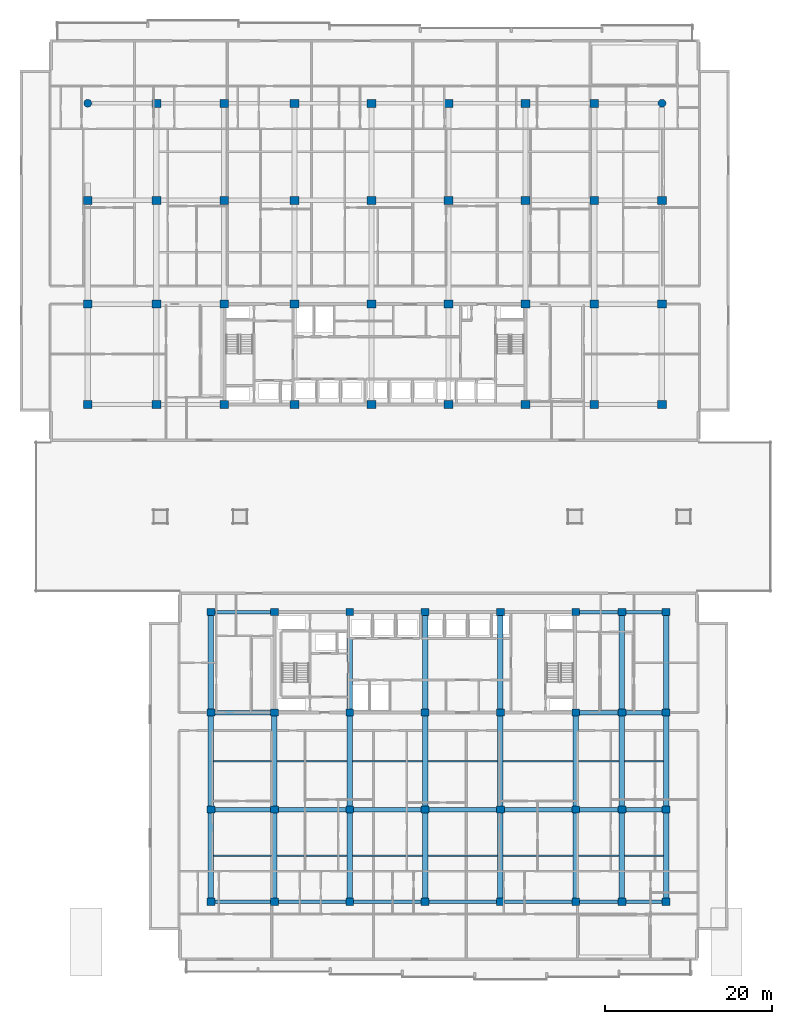
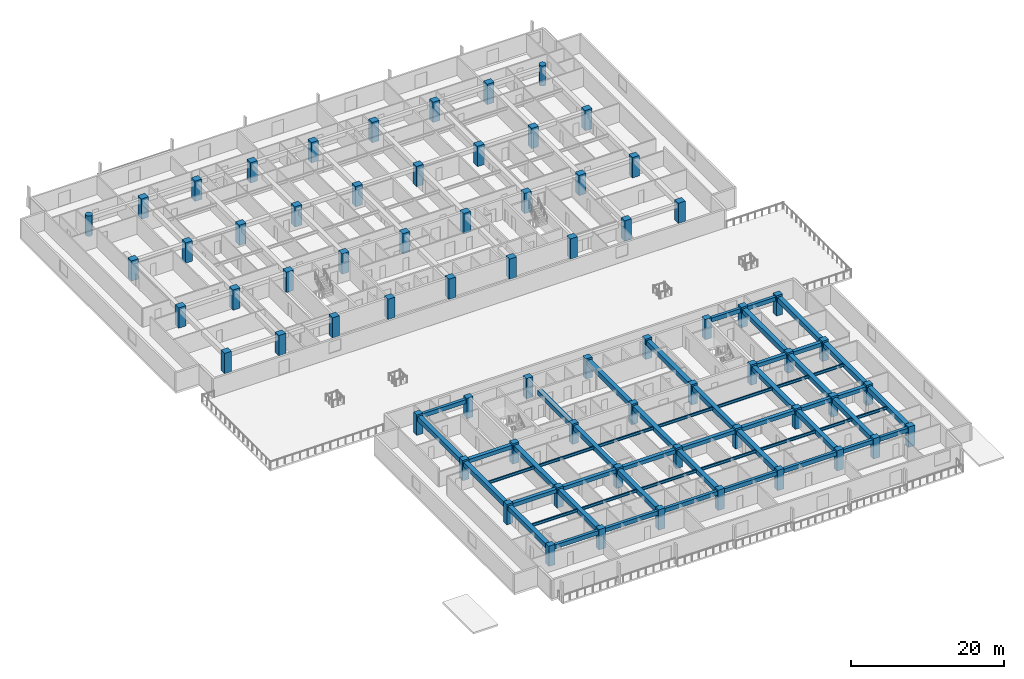
# One storey, part 1 of 24: 68 columns, 56 beams.
"""IFC4 building model written with IfcOpenShell, lengths in metres."""

from ifc_helpers import new_model, si_unit, direction, frame, origin, origin_2d, place, context, subcontext, project, spatial, rectangle, circle, i_section, extrude, material, material_profile, profile_set, type_object, element, save


model = new_model("IFC4")

# Units and contexts
model_context = context("Model", 3, precision=1e-05, world=origin(), true_north=direction((0.0, 1.0)))
body_context = subcontext(model_context, "Body", "Model", "MODEL_VIEW")
ifc_project = project(units=[si_unit("LENGTHUNIT", "METRE"), si_unit("AREAUNIT", "SQUARE_METRE"), si_unit("VOLUMEUNIT", "CUBIC_METRE"), si_unit("PLANEANGLEUNIT", "RADIAN"), si_unit("MASSUNIT", "GRAM", prefix="KILO")], contexts=[model_context])

# Site, building, storey
site_placement = place(None, origin())
site = spatial("IfcSite", under=ifc_project, at=site_placement, CompositionType="ELEMENT")
building_placement = place(site_placement, origin())
building = spatial("IfcBuilding", under=site, at=building_placement, Name="Korimba Cascade Residences", CompositionType="ELEMENT")
storey_placement = place(building_placement, frame((0.0, 0.0, 24.0)))
storey = spatial("IfcBuildingStorey", under=building, at=storey_placement, Name="L05", CompositionType="ELEMENT", Elevation=24.0)

# Columns
ifc_material_1 = material(Name="Concrete C80/95", Category="concrete")
ifc_material_profile_1 = material_profile(ifc_material_1, rectangle(XDim=1.050048828125, YDim=0.949951171875, at=origin_2d()), Name="Concrete C80/95")
ifc_profile_set_1 = profile_set([ifc_material_profile_1], Name="Concrete C80/95")
column_type_1 = type_object("IfcColumnType", Name="COL-RC-1050", PredefinedType="COLUMN", material=ifc_profile_set_1)
for number, where, z_axis, x_axis, name in (
    (1, (59.800048828125, 55.199951171875, 0.0), (0.0, 0.0, 1.0), (1.0, 0.0, 0.0), "L05 Tower 1 Column 1.1"),
    (2, (59.800048828125, 67.199951171875, 0.0), (0.0, 0.0, 1.0), (1.0, 0.0, 0.0), "L05 Tower 1 Column 1.2"),
    (3, (59.800048828125, 79.60009765625, 0.0), (0.0, 0.0, 1.0), (1.0, 0.0, 0.0), "L05 Tower 1 Column 1.3"),
    (4, (68.0, 55.199951171875, 0.0), (0.0, 0.0, 1.0), (1.0, 0.0, 0.0), "L05 Tower 1 Column 2.1"),
    (5, (68.0, 67.199951171875, 0.0), (0.0, 0.0, 1.0), (1.0, 0.0, 0.0), "L05 Tower 1 Column 2.2"),
    (6, (68.0, 79.60009765625, 0.0), (0.0, 0.0, 1.0), (1.0, 0.0, 0.0), "L05 Tower 1 Column 2.3"),
    (7, (68.0, 91.199951171875, 0.0), (0.0, 0.0, 1.0), (1.0, 0.0, 0.0), "L05 Tower 1 Column 2.4"),
    (8, (76.10009765625, 55.199951171875, 0.0), (0.0, 0.0, 1.0), (1.0, 0.0, 0.0), "L05 Tower 1 Column 3.1"),
    (9, (76.10009765625, 67.199951171875, 0.0), (0.0, 0.0, 1.0), (1.0, 0.0, 0.0), "L05 Tower 1 Column 3.2"),
    (10, (76.10009765625, 79.60009765625, 0.0), (0.0, 0.0, 1.0), (1.0, 0.0, 0.0), "L05 Tower 1 Column 3.3"),
    (11, (76.10009765625, 91.199951171875, 0.0), (0.0, 0.0, 1.0), (1.0, 0.0, 0.0), "L05 Tower 1 Column 3.4"),
    (12, (84.5, 55.199951171875, 0.0), (0.0, 0.0, 1.0), (1.0, 0.0, 0.0), "L05 Tower 1 Column 4.1"),
    (13, (84.5, 67.199951171875, 0.0), (0.0, 0.0, 1.0), (1.0, 0.0, 0.0), "L05 Tower 1 Column 4.2"),
    (14, (84.5, 79.60009765625, 0.0), (0.0, 0.0, 1.0), (1.0, 0.0, 0.0), "L05 Tower 1 Column 4.3"),
    (15, (84.5, 91.199951171875, 0.0), (0.0, 0.0, 1.0), (1.0, 0.0, 0.0), "L05 Tower 1 Column 4.4"),
    (16, (93.699951171875, 55.199951171875, 0.0), (0.0, 0.0, 1.0), (1.0, 0.0, 0.0), "L05 Tower 1 Column 5.1"),
    (17, (93.699951171875, 67.199951171875, 0.0), (0.0, 0.0, 1.0), (1.0, 0.0, 0.0), "L05 Tower 1 Column 5.2"),
    (18, (93.699951171875, 79.60009765625, 0.0), (0.0, 0.0, 1.0), (1.0, 0.0, 0.0), "L05 Tower 1 Column 5.3"),
    (19, (93.699951171875, 91.199951171875, 0.0), (0.0, 0.0, 1.0), (1.0, 0.0, 0.0), "L05 Tower 1 Column 5.4"),
    (20, (102.89990234375, 55.199951171875, 0.0), (0.0, 0.0, 1.0), (1.0, 0.0, 0.0), "L05 Tower 1 Column 6.1"),
    (21, (102.89990234375, 67.199951171875, 0.0), (0.0, 0.0, 1.0), (1.0, 0.0, 0.0), "L05 Tower 1 Column 6.2"),
    (22, (102.89990234375, 79.60009765625, 0.0), (0.0, 0.0, 1.0), (1.0, 0.0, 0.0), "L05 Tower 1 Column 6.3"),
    (23, (102.89990234375, 91.199951171875, 0.0), (0.0, 0.0, 1.0), (1.0, 0.0, 0.0), "L05 Tower 1 Column 6.4"),
    (24, (112.10009765625, 55.199951171875, 0.0), (0.0, 0.0, 1.0), (1.0, 0.0, 0.0), "L05 Tower 1 Column 7.1"),
    (25, (112.10009765625, 67.199951171875, 0.0), (0.0, 0.0, 1.0), (1.0, 0.0, 0.0), "L05 Tower 1 Column 7.2"),
    (26, (112.10009765625, 79.60009765625, 0.0), (0.0, 0.0, 1.0), (1.0, 0.0, 0.0), "L05 Tower 1 Column 7.3"),
    (27, (112.10009765625, 91.199951171875, 0.0), (0.0, 0.0, 1.0), (1.0, 0.0, 0.0), "L05 Tower 1 Column 7.4"),
    (28, (120.300048828125, 55.199951171875, 0.0), (0.0, 0.0, 1.0), (1.0, 0.0, 0.0), "L05 Tower 1 Column 8.1"),
    (29, (120.300048828125, 67.199951171875, 0.0), (0.0, 0.0, 1.0), (1.0, 0.0, 0.0), "L05 Tower 1 Column 8.2"),
    (30, (120.300048828125, 79.60009765625, 0.0), (0.0, 0.0, 1.0), (1.0, 0.0, 0.0), "L05 Tower 1 Column 8.3"),
    (31, (120.300048828125, 91.199951171875, 0.0), (0.0, 0.0, 1.0), (1.0, 0.0, 0.0), "L05 Tower 1 Column 8.4"),
    (32, (128.39990234375, 55.199951171875, 0.0), (0.0, 0.0, 1.0), (1.0, 0.0, 0.0), "L05 Tower 1 Column 9.1"),
    (33, (128.39990234375, 67.199951171875, 0.0), (0.0, 0.0, 1.0), (1.0, 0.0, 0.0), "L05 Tower 1 Column 9.2"),
    (34, (128.39990234375, 79.60009765625, 0.0), (0.0, 0.0, 1.0), (1.0, 0.0, 0.0), "L05 Tower 1 Column 9.3"),
):
    element("IfcColumn", number, at=place(storey_placement, frame(where, z_axis=z_axis, x_axis=x_axis)), inside=storey, type_object=column_type_1, Name=name, PredefinedType="COLUMN", context=body_context, shape_type="SweptSolid", body=[
        extrude(rectangle(XDim=1.050048828125, YDim=0.949951171875, at=origin_2d()), origin(), (0.0, 0.0, 1.0), 3.25),
    ])
ifc_material_2 = material(Name="Concrete C65/80", Category="concrete")
ifc_material_profile_2 = material_profile(ifc_material_2, rectangle(XDim=0.949951171875, YDim=0.85009765625, at=origin_2d()), Name="Concrete C65/80")
ifc_profile_set_2 = profile_set([ifc_material_profile_2], Name="Concrete C65/80")
column_type_2 = type_object("IfcColumnType", Name="COL-RC-950", PredefinedType="COLUMN", material=ifc_profile_set_2)
for number, where, z_axis, x_axis, name in (
    (35, (74.5, -4.199951171875, 0.0), (0.0, 0.0, 1.0), (1.0, 0.0, 0.0), "L05 Tower 2 Column 1.1"),
    (36, (74.5, 6.800048828125, 0.0), (0.0, 0.0, 1.0), (1.0, 0.0, 0.0), "L05 Tower 2 Column 1.2"),
    (37, (74.5, 18.39990234375, 0.0), (0.0, 0.0, 1.0), (1.0, 0.0, 0.0), "L05 Tower 2 Column 1.3"),
    (38, (74.5, 30.39990234375, 0.0), (0.0, 0.0, 1.0), (1.0, 0.0, 0.0), "L05 Tower 2 Column 1.4"),
    (39, (82.10009765625, -4.199951171875, 0.0), (0.0, 0.0, 1.0), (1.0, 0.0, 0.0), "L05 Tower 2 Column 2.1"),
    (40, (82.10009765625, 6.800048828125, 0.0), (0.0, 0.0, 1.0), (1.0, 0.0, 0.0), "L05 Tower 2 Column 2.2"),
    (41, (82.10009765625, 18.39990234375, 0.0), (0.0, 0.0, 1.0), (1.0, 0.0, 0.0), "L05 Tower 2 Column 2.3"),
    (42, (82.10009765625, 30.39990234375, 0.0), (0.0, 0.0, 1.0), (1.0, 0.0, 0.0), "L05 Tower 2 Column 2.4"),
    (43, (91.10009765625, -4.199951171875, 0.0), (0.0, 0.0, 1.0), (1.0, 0.0, 0.0), "L05 Tower 2 Column 3.1"),
    (44, (91.10009765625, 6.800048828125, 0.0), (0.0, 0.0, 1.0), (1.0, 0.0, 0.0), "L05 Tower 2 Column 3.2"),
    (45, (91.10009765625, 18.39990234375, 0.0), (0.0, 0.0, 1.0), (1.0, 0.0, 0.0), "L05 Tower 2 Column 3.3"),
    (46, (91.10009765625, 30.39990234375, 0.0), (0.0, 0.0, 1.0), (1.0, 0.0, 0.0), "L05 Tower 2 Column 3.4"),
    (47, (100.10009765625, -4.199951171875, 0.0), (0.0, 0.0, 1.0), (1.0, 0.0, 0.0), "L05 Tower 2 Column 4.1"),
    (48, (100.10009765625, 6.800048828125, 0.0), (0.0, 0.0, 1.0), (1.0, 0.0, 0.0), "L05 Tower 2 Column 4.2"),
    (49, (100.10009765625, 18.39990234375, 0.0), (0.0, 0.0, 1.0), (1.0, 0.0, 0.0), "L05 Tower 2 Column 4.3"),
    (50, (100.10009765625, 30.39990234375, 0.0), (0.0, 0.0, 1.0), (1.0, 0.0, 0.0), "L05 Tower 2 Column 4.4"),
    (51, (109.10009765625, -4.199951171875, 0.0), (0.0, 0.0, 1.0), (1.0, 0.0, 0.0), "L05 Tower 2 Column 5.1"),
    (52, (109.10009765625, 6.800048828125, 0.0), (0.0, 0.0, 1.0), (1.0, 0.0, 0.0), "L05 Tower 2 Column 5.2"),
    (53, (109.10009765625, 18.39990234375, 0.0), (0.0, 0.0, 1.0), (1.0, 0.0, 0.0), "L05 Tower 2 Column 5.3"),
    (54, (109.10009765625, 30.39990234375, 0.0), (0.0, 0.0, 1.0), (1.0, 0.0, 0.0), "L05 Tower 2 Column 5.4"),
    (55, (118.10009765625, -4.199951171875, 0.0), (0.0, 0.0, 1.0), (1.0, 0.0, 0.0), "L05 Tower 2 Column 6.1"),
    (56, (118.10009765625, 6.800048828125, 0.0), (0.0, 0.0, 1.0), (1.0, 0.0, 0.0), "L05 Tower 2 Column 6.2"),
    (57, (118.10009765625, 18.39990234375, 0.0), (0.0, 0.0, 1.0), (1.0, 0.0, 0.0), "L05 Tower 2 Column 6.3"),
    (58, (118.10009765625, 30.39990234375, 0.0), (0.0, 0.0, 1.0), (1.0, 0.0, 0.0), "L05 Tower 2 Column 6.4"),
    (59, (123.60009765625, -4.199951171875, 0.0), (0.0, 0.0, 1.0), (1.0, 0.0, 0.0), "L05 Tower 2 Column 7.1"),
    (60, (123.60009765625, 6.800048828125, 0.0), (0.0, 0.0, 1.0), (1.0, 0.0, 0.0), "L05 Tower 2 Column 7.2"),
    (61, (123.60009765625, 18.39990234375, 0.0), (0.0, 0.0, 1.0), (1.0, 0.0, 0.0), "L05 Tower 2 Column 7.3"),
    (62, (123.60009765625, 30.39990234375, 0.0), (0.0, 0.0, 1.0), (1.0, 0.0, 0.0), "L05 Tower 2 Column 7.4"),
    (63, (128.89990234375, -4.199951171875, 0.0), (0.0, 0.0, 1.0), (1.0, 0.0, 0.0), "L05 Tower 2 Column 8.1"),
    (64, (128.89990234375, 6.800048828125, 0.0), (0.0, 0.0, 1.0), (1.0, 0.0, 0.0), "L05 Tower 2 Column 8.2"),
    (65, (128.89990234375, 18.39990234375, 0.0), (0.0, 0.0, 1.0), (1.0, 0.0, 0.0), "L05 Tower 2 Column 8.3"),
    (66, (128.89990234375, 30.39990234375, 0.0), (0.0, 0.0, 1.0), (1.0, 0.0, 0.0), "L05 Tower 2 Column 8.4"),
):
    element("IfcColumn", number, at=place(storey_placement, frame(where, z_axis=z_axis, x_axis=x_axis)), inside=storey, type_object=column_type_2, Name=name, PredefinedType="COLUMN", context=body_context, shape_type="SweptSolid", body=[
        extrude(rectangle(XDim=0.949951171875, YDim=0.85009765625, at=origin_2d()), origin(), (0.0, 0.0, 1.0), 3.25),
    ])
ifc_material_profile_3 = material_profile(ifc_material_1, circle(Radius=0.47509765625, at=origin_2d()), Name="Concrete C80/95")
ifc_profile_set_3 = profile_set([ifc_material_profile_3], Name="Concrete C80/95")
column_type_3 = type_object("IfcColumnType", Name="COL-RC-D950", PredefinedType="COLUMN", material=ifc_profile_set_3)
for number, where, z_axis, x_axis, name in (
    (67, (59.800048828125, 91.199951171875, 0.0), (0.0, 0.0, 1.0), (1.0, 0.0, 0.0), "L05 Tower 1 Column 1.4"),
    (68, (128.39990234375, 91.199951171875, 0.0), (0.0, 0.0, 1.0), (1.0, 0.0, 0.0), "L05 Tower 1 Column 9.4"),
):
    element("IfcColumn", number, at=place(storey_placement, frame(where, z_axis=z_axis, x_axis=x_axis)), inside=storey, type_object=column_type_3, Name=name, PredefinedType="COLUMN", context=body_context, shape_type="SweptSolid", body=[
        extrude(circle(Radius=0.47509765625, at=origin_2d()), origin(), (0.0, 0.0, 1.0), 3.25),
    ])

# Beams
ifc_material_3 = material(Name="Concrete C50/60", Category="concrete")
ifc_material_profile_4 = material_profile(ifc_material_3, rectangle(XDim=0.550048828125, YDim=0.60009765625, at=origin_2d()), Name="Concrete C50/60")
ifc_profile_set_4 = profile_set([ifc_material_profile_4], Name="Concrete C50/60")
beam_type_1 = type_object("IfcBeamType", Name="BM-RC-B600", PredefinedType="BEAM", material=ifc_profile_set_4)
beam_1_placement = place(storey_placement, frame((74.97509765625, 6.800048828125, 2.669921875), z_axis=(1.0, 0.0, 0.0), x_axis=(0.0, 1.0, 0.0)))
element("IfcBeam", 69, at=beam_1_placement, inside=storey, type_object=beam_type_1, Name="L05 T2 E-W Girder Y2 Bay 1", PredefinedType="BEAM", context=body_context, shape_type="SweptSolid", body=[
    extrude(rectangle(XDim=0.550048828125, YDim=0.60009765625, at=origin_2d()), origin(), (0.0, 0.0, 1.0), 6.64990234375),
])
for number, where, z_axis, x_axis, name in (
    (70, (82.574951171875, 6.800048828125, 2.669921875), (1.0, 0.0, 0.0), (0.0, 1.0, 0.0), "L05 T2 E-W Girder Y2 Bay 2"),
    (71, (91.574951171875, 6.800048828125, 2.669921875), (1.0, 0.0, 0.0), (0.0, 1.0, 0.0), "L05 T2 E-W Girder Y2 Bay 3"),
    (72, (100.574951171875, 6.800048828125, 2.669921875), (1.0, 0.0, 0.0), (0.0, 1.0, 0.0), "L05 T2 E-W Girder Y2 Bay 4"),
    (73, (109.574951171875, 6.800048828125, 2.669921875), (1.0, 0.0, 0.0), (0.0, 1.0, 0.0), "L05 T2 E-W Girder Y2 Bay 5"),
):
    element("IfcBeam", number, at=place(storey_placement, frame(where, z_axis=z_axis, x_axis=x_axis)), inside=storey, type_object=beam_type_1, Name=name, PredefinedType="BEAM", context=body_context, shape_type="SweptSolid", body=[
        extrude(rectangle(XDim=0.550048828125, YDim=0.60009765625, at=origin_2d()), origin(), (0.0, 0.0, 1.0), 8.050048828125),
    ])
beam_2_placement = place(storey_placement, frame((118.574951171875, 6.800048828125, 2.669921875), z_axis=(1.0, 0.0, 0.0), x_axis=(0.0, 1.0, 0.0)))
element("IfcBeam", 74, at=beam_2_placement, inside=storey, type_object=beam_type_1, Name="L05 T2 E-W Girder Y2 Bay 6", PredefinedType="BEAM", context=body_context, shape_type="SweptSolid", body=[
    extrude(rectangle(XDim=0.550048828125, YDim=0.60009765625, at=origin_2d()), origin(), (0.0, 0.0, 1.0), 4.550048828125),
])
beam_3_placement = place(storey_placement, frame((124.074951171875, 6.800048828125, 2.669921875), z_axis=(1.0, 0.0, 0.0), x_axis=(0.0, 1.0, 0.0)))
element("IfcBeam", 75, at=beam_3_placement, inside=storey, type_object=beam_type_1, Name="L05 T2 E-W Girder Y2 Bay 7", PredefinedType="BEAM", context=body_context, shape_type="SweptSolid", body=[
    extrude(rectangle(XDim=0.550048828125, YDim=0.60009765625, at=origin_2d()), origin(), (0.0, 0.0, 1.0), 4.35009765625),
])
beam_4_placement = place(storey_placement, frame((74.97509765625, 18.39990234375, 2.669921875), z_axis=(1.0, 0.0, 0.0), x_axis=(0.0, 1.0, 0.0)))
element("IfcBeam", 76, at=beam_4_placement, inside=storey, type_object=beam_type_1, Name="L05 T2 E-W Girder Y3 Bay 1", PredefinedType="BEAM", context=body_context, shape_type="SweptSolid", body=[
    extrude(rectangle(XDim=0.550048828125, YDim=0.60009765625, at=origin_2d()), origin(), (0.0, 0.0, 1.0), 6.64990234375),
])
beam_5_placement = place(storey_placement, frame((118.574951171875, 18.39990234375, 2.669921875), z_axis=(1.0, 0.0, 0.0), x_axis=(0.0, 1.0, 0.0)))
element("IfcBeam", 77, at=beam_5_placement, inside=storey, type_object=beam_type_1, Name="L05 T2 E-W Girder Y3 Bay 6", PredefinedType="BEAM", context=body_context, shape_type="SweptSolid", body=[
    extrude(rectangle(XDim=0.550048828125, YDim=0.60009765625, at=origin_2d()), origin(), (0.0, 0.0, 1.0), 4.550048828125),
])
beam_6_placement = place(storey_placement, frame((124.074951171875, 18.39990234375, 2.669921875), z_axis=(1.0, 0.0, 0.0), x_axis=(0.0, 1.0, 0.0)))
element("IfcBeam", 78, at=beam_6_placement, inside=storey, type_object=beam_type_1, Name="L05 T2 E-W Girder Y3 Bay 7", PredefinedType="BEAM", context=body_context, shape_type="SweptSolid", body=[
    extrude(rectangle(XDim=0.550048828125, YDim=0.60009765625, at=origin_2d()), origin(), (0.0, 0.0, 1.0), 4.35009765625),
])
ifc_material_profile_5 = material_profile(ifc_material_3, rectangle(XDim=0.64990234375, YDim=0.75, at=origin_2d()), Name="Concrete C50/60")
ifc_profile_set_5 = profile_set([ifc_material_profile_5], Name="Concrete C50/60")
beam_type_2 = type_object("IfcBeamType", Name="BM-RC-G750", PredefinedType="BEAM", material=ifc_profile_set_5)
beam_7_placement = place(storey_placement, frame((74.5, -3.77490234375, 2.594970703125), z_axis=(0.0, 1.0, 0.0), x_axis=(-1.0, 0.0, 0.0)))
element("IfcBeam", 79, at=beam_7_placement, inside=storey, type_object=beam_type_2, Name="L05 T2 N-S Girder X1 Seg 1", PredefinedType="BEAM", context=body_context, shape_type="SweptSolid", body=[
    extrude(rectangle(XDim=0.64990234375, YDim=0.75, at=origin_2d()), origin(), (0.0, 0.0, 1.0), 10.14990234375),
])
beam_8_placement = place(storey_placement, frame((74.5, 7.22509765625, 2.594970703125), z_axis=(0.0, 1.0, 0.0), x_axis=(-1.0, 0.0, 0.0)))
element("IfcBeam", 80, at=beam_8_placement, inside=storey, type_object=beam_type_2, Name="L05 T2 N-S Girder X1 Seg 2", PredefinedType="BEAM", context=body_context, shape_type="SweptSolid", body=[
    extrude(rectangle(XDim=0.64990234375, YDim=0.75, at=origin_2d()), origin(), (0.0, 0.0, 1.0), 10.75),
])
beam_9_placement = place(storey_placement, frame((74.5, 18.824951171875, 2.594970703125), z_axis=(0.0, 1.0, 0.0), x_axis=(-1.0, 0.0, 0.0)))
element("IfcBeam", 81, at=beam_9_placement, inside=storey, type_object=beam_type_2, Name="L05 T2 N-S Girder X1 Seg 3", PredefinedType="BEAM", context=body_context, shape_type="SweptSolid", body=[
    extrude(rectangle(XDim=0.64990234375, YDim=0.75, at=origin_2d()), origin(), (0.0, 0.0, 1.0), 11.150146484375),
])
beam_10_placement = place(storey_placement, frame((82.10009765625, -3.77490234375, 2.594970703125), z_axis=(0.0, 1.0, 0.0), x_axis=(-1.0, 0.0, 0.0)))
element("IfcBeam", 82, at=beam_10_placement, inside=storey, type_object=beam_type_2, Name="L05 T2 N-S Girder X2 Seg 1", PredefinedType="BEAM", context=body_context, shape_type="SweptSolid", body=[
    extrude(rectangle(XDim=0.64990234375, YDim=0.75, at=origin_2d()), origin(), (0.0, 0.0, 1.0), 10.14990234375),
])
beam_11_placement = place(storey_placement, frame((82.10009765625, 7.22509765625, 2.594970703125), z_axis=(0.0, 1.0, 0.0), x_axis=(-1.0, 0.0, 0.0)))
element("IfcBeam", 83, at=beam_11_placement, inside=storey, type_object=beam_type_2, Name="L05 T2 N-S Girder X2 Seg 2", PredefinedType="BEAM", context=body_context, shape_type="SweptSolid", body=[
    extrude(rectangle(XDim=0.64990234375, YDim=0.75, at=origin_2d()), origin(), (0.0, 0.0, 1.0), 10.75),
])
beam_12_placement = place(storey_placement, frame((91.10009765625, -3.77490234375, 2.594970703125), z_axis=(0.0, 1.0, 0.0), x_axis=(-1.0, 0.0, 0.0)))
element("IfcBeam", 84, at=beam_12_placement, inside=storey, type_object=beam_type_2, Name="L05 T2 N-S Girder X3 Seg 1", PredefinedType="BEAM", context=body_context, shape_type="SweptSolid", body=[
    extrude(rectangle(XDim=0.64990234375, YDim=0.75, at=origin_2d()), origin(), (0.0, 0.0, 1.0), 10.14990234375),
])
beam_13_placement = place(storey_placement, frame((91.10009765625, 7.22509765625, 2.594970703125), z_axis=(0.0, 1.0, 0.0), x_axis=(-1.0, 0.0, 0.0)))
element("IfcBeam", 85, at=beam_13_placement, inside=storey, type_object=beam_type_2, Name="L05 T2 N-S Girder X3 Seg 2", PredefinedType="BEAM", context=body_context, shape_type="SweptSolid", body=[
    extrude(rectangle(XDim=0.64990234375, YDim=0.75, at=origin_2d()), origin(), (0.0, 0.0, 1.0), 10.75),
])
beam_14_placement = place(storey_placement, frame((91.10009765625, 18.824951171875, 2.594970703125), z_axis=(0.0, 1.0, 0.0), x_axis=(-1.0, 0.0, 0.0)))
element("IfcBeam", 86, at=beam_14_placement, inside=storey, type_object=beam_type_2, Name="L05 T2 N-S Girder X3 Seg 3", PredefinedType="BEAM", context=body_context, shape_type="SweptSolid", body=[
    extrude(rectangle(XDim=0.64990234375, YDim=0.75, at=origin_2d()), origin(), (0.0, 0.0, 1.0), 8.51513671875),
])
beam_15_placement = place(storey_placement, frame((100.10009765625, -3.77490234375, 2.594970703125), z_axis=(0.0, 1.0, 0.0), x_axis=(-1.0, 0.0, 0.0)))
element("IfcBeam", 87, at=beam_15_placement, inside=storey, type_object=beam_type_2, Name="L05 T2 N-S Girder X4 Seg 1", PredefinedType="BEAM", context=body_context, shape_type="SweptSolid", body=[
    extrude(rectangle(XDim=0.64990234375, YDim=0.75, at=origin_2d()), origin(), (0.0, 0.0, 1.0), 10.14990234375),
])
beam_16_placement = place(storey_placement, frame((100.10009765625, 7.22509765625, 2.594970703125), z_axis=(0.0, 1.0, 0.0), x_axis=(-1.0, 0.0, 0.0)))
element("IfcBeam", 88, at=beam_16_placement, inside=storey, type_object=beam_type_2, Name="L05 T2 N-S Girder X4 Seg 2", PredefinedType="BEAM", context=body_context, shape_type="SweptSolid", body=[
    extrude(rectangle(XDim=0.64990234375, YDim=0.75, at=origin_2d()), origin(), (0.0, 0.0, 1.0), 10.75),
])
beam_17_placement = place(storey_placement, frame((100.10009765625, 18.824951171875, 2.594970703125), z_axis=(0.0, 1.0, 0.0), x_axis=(-1.0, 0.0, 0.0)))
element("IfcBeam", 89, at=beam_17_placement, inside=storey, type_object=beam_type_2, Name="L05 T2 N-S Girder X4 Seg 3", PredefinedType="BEAM", context=body_context, shape_type="SweptSolid", body=[
    extrude(rectangle(XDim=0.64990234375, YDim=0.75, at=origin_2d()), origin(), (0.0, 0.0, 1.0), 11.150146484375),
])
beam_18_placement = place(storey_placement, frame((109.10009765625, -3.77490234375, 2.594970703125), z_axis=(0.0, 1.0, 0.0), x_axis=(-1.0, 0.0, 0.0)))
element("IfcBeam", 90, at=beam_18_placement, inside=storey, type_object=beam_type_2, Name="L05 T2 N-S Girder X5 Seg 1", PredefinedType="BEAM", context=body_context, shape_type="SweptSolid", body=[
    extrude(rectangle(XDim=0.64990234375, YDim=0.75, at=origin_2d()), origin(), (0.0, 0.0, 1.0), 10.14990234375),
])
beam_19_placement = place(storey_placement, frame((109.10009765625, 7.22509765625, 2.594970703125), z_axis=(0.0, 1.0, 0.0), x_axis=(-1.0, 0.0, 0.0)))
element("IfcBeam", 91, at=beam_19_placement, inside=storey, type_object=beam_type_2, Name="L05 T2 N-S Girder X5 Seg 2", PredefinedType="BEAM", context=body_context, shape_type="SweptSolid", body=[
    extrude(rectangle(XDim=0.64990234375, YDim=0.75, at=origin_2d()), origin(), (0.0, 0.0, 1.0), 10.75),
])
beam_20_placement = place(storey_placement, frame((109.10009765625, 18.824951171875, 2.594970703125), z_axis=(0.0, 1.0, 0.0), x_axis=(-1.0, 0.0, 0.0)))
element("IfcBeam", 92, at=beam_20_placement, inside=storey, type_object=beam_type_2, Name="L05 T2 N-S Girder X5 Seg 3", PredefinedType="BEAM", context=body_context, shape_type="SweptSolid", body=[
    extrude(rectangle(XDim=0.64990234375, YDim=0.75, at=origin_2d()), origin(), (0.0, 0.0, 1.0), 11.150146484375),
])
beam_21_placement = place(storey_placement, frame((118.10009765625, -3.77490234375, 2.594970703125), z_axis=(0.0, 1.0, 0.0), x_axis=(-1.0, 0.0, 0.0)))
element("IfcBeam", 93, at=beam_21_placement, inside=storey, type_object=beam_type_2, Name="L05 T2 N-S Girder X6 Seg 1", PredefinedType="BEAM", context=body_context, shape_type="SweptSolid", body=[
    extrude(rectangle(XDim=0.64990234375, YDim=0.75, at=origin_2d()), origin(), (0.0, 0.0, 1.0), 10.14990234375),
])
beam_22_placement = place(storey_placement, frame((118.10009765625, 7.22509765625, 2.594970703125), z_axis=(0.0, 1.0, 0.0), x_axis=(-1.0, 0.0, 0.0)))
element("IfcBeam", 94, at=beam_22_placement, inside=storey, type_object=beam_type_2, Name="L05 T2 N-S Girder X6 Seg 2", PredefinedType="BEAM", context=body_context, shape_type="SweptSolid", body=[
    extrude(rectangle(XDim=0.64990234375, YDim=0.75, at=origin_2d()), origin(), (0.0, 0.0, 1.0), 10.75),
])
beam_23_placement = place(storey_placement, frame((123.60009765625, -3.77490234375, 2.594970703125), z_axis=(0.0, 1.0, 0.0), x_axis=(-1.0, 0.0, 0.0)))
element("IfcBeam", 95, at=beam_23_placement, inside=storey, type_object=beam_type_2, Name="L05 T2 N-S Girder X7 Seg 1", PredefinedType="BEAM", context=body_context, shape_type="SweptSolid", body=[
    extrude(rectangle(XDim=0.64990234375, YDim=0.75, at=origin_2d()), origin(), (0.0, 0.0, 1.0), 10.14990234375),
])
beam_24_placement = place(storey_placement, frame((123.60009765625, 7.22509765625, 2.594970703125), z_axis=(0.0, 1.0, 0.0), x_axis=(-1.0, 0.0, 0.0)))
element("IfcBeam", 96, at=beam_24_placement, inside=storey, type_object=beam_type_2, Name="L05 T2 N-S Girder X7 Seg 2", PredefinedType="BEAM", context=body_context, shape_type="SweptSolid", body=[
    extrude(rectangle(XDim=0.64990234375, YDim=0.75, at=origin_2d()), origin(), (0.0, 0.0, 1.0), 10.75),
])
beam_25_placement = place(storey_placement, frame((123.60009765625, 18.824951171875, 2.594970703125), z_axis=(0.0, 1.0, 0.0), x_axis=(-1.0, 0.0, 0.0)))
element("IfcBeam", 97, at=beam_25_placement, inside=storey, type_object=beam_type_2, Name="L05 T2 N-S Girder X7 Seg 3", PredefinedType="BEAM", context=body_context, shape_type="SweptSolid", body=[
    extrude(rectangle(XDim=0.64990234375, YDim=0.75, at=origin_2d()), origin(), (0.0, 0.0, 1.0), 11.150146484375),
])
beam_26_placement = place(storey_placement, frame((128.89990234375, -3.77490234375, 2.594970703125), z_axis=(0.0, 1.0, 0.0), x_axis=(-1.0, 0.0, 0.0)))
element("IfcBeam", 98, at=beam_26_placement, inside=storey, type_object=beam_type_2, Name="L05 T2 N-S Girder X8 Seg 1", PredefinedType="BEAM", context=body_context, shape_type="SweptSolid", body=[
    extrude(rectangle(XDim=0.64990234375, YDim=0.75, at=origin_2d()), origin(), (0.0, 0.0, 1.0), 10.14990234375),
])
beam_27_placement = place(storey_placement, frame((128.89990234375, 7.22509765625, 2.594970703125), z_axis=(0.0, 1.0, 0.0), x_axis=(-1.0, 0.0, 0.0)))
element("IfcBeam", 99, at=beam_27_placement, inside=storey, type_object=beam_type_2, Name="L05 T2 N-S Girder X8 Seg 2", PredefinedType="BEAM", context=body_context, shape_type="SweptSolid", body=[
    extrude(rectangle(XDim=0.64990234375, YDim=0.75, at=origin_2d()), origin(), (0.0, 0.0, 1.0), 10.75),
])
beam_28_placement = place(storey_placement, frame((128.89990234375, 18.824951171875, 2.594970703125), z_axis=(0.0, 1.0, 0.0), x_axis=(-1.0, 0.0, 0.0)))
element("IfcBeam", 100, at=beam_28_placement, inside=storey, type_object=beam_type_2, Name="L05 T2 N-S Girder X8 Seg 3", PredefinedType="BEAM", context=body_context, shape_type="SweptSolid", body=[
    extrude(rectangle(XDim=0.64990234375, YDim=0.75, at=origin_2d()), origin(), (0.0, 0.0, 1.0), 11.150146484375),
])
ifc_material_4 = material(Name="Precast concrete C40/50", Category="concrete")
ifc_material_profile_6 = material_profile(ifc_material_4, rectangle(XDim=0.449951171875, YDim=0.64990234375, at=origin_2d()), Name="Precast concrete C40/50")
ifc_profile_set_6 = profile_set([ifc_material_profile_6], Name="Precast concrete C40/50")
beam_type_3 = type_object("IfcBeamType", Name="BM-RC-SP650", PredefinedType="SPANDREL", material=ifc_profile_set_6)
beam_29_placement = place(storey_placement, frame((74.97509765625, -4.199951171875, 2.64501953125), z_axis=(1.0, 0.0, 0.0), x_axis=(0.0, 1.0, 0.0)))
element("IfcBeam", 101, at=beam_29_placement, inside=storey, type_object=beam_type_3, Name="L05 T2 E-W Girder Y1 Bay 1", PredefinedType="SPANDREL", context=body_context, shape_type="SweptSolid", body=[
    extrude(rectangle(XDim=0.449951171875, YDim=0.64990234375, at=origin_2d()), origin(), (0.0, 0.0, 1.0), 6.64990234375),
])
for number, where, z_axis, x_axis, name in (
    (102, (82.574951171875, -4.199951171875, 2.64501953125), (1.0, 0.0, 0.0), (0.0, 1.0, 0.0), "L05 T2 E-W Girder Y1 Bay 2"),
    (103, (91.574951171875, -4.199951171875, 2.64501953125), (1.0, 0.0, 0.0), (0.0, 1.0, 0.0), "L05 T2 E-W Girder Y1 Bay 3"),
    (104, (100.574951171875, -4.199951171875, 2.64501953125), (1.0, 0.0, 0.0), (0.0, 1.0, 0.0), "L05 T2 E-W Girder Y1 Bay 4"),
    (105, (109.574951171875, -4.199951171875, 2.64501953125), (1.0, 0.0, 0.0), (0.0, 1.0, 0.0), "L05 T2 E-W Girder Y1 Bay 5"),
):
    element("IfcBeam", number, at=place(storey_placement, frame(where, z_axis=z_axis, x_axis=x_axis)), inside=storey, type_object=beam_type_3, Name=name, PredefinedType="SPANDREL", context=body_context, shape_type="SweptSolid", body=[
        extrude(rectangle(XDim=0.449951171875, YDim=0.64990234375, at=origin_2d()), origin(), (0.0, 0.0, 1.0), 8.050048828125),
    ])
beam_30_placement = place(storey_placement, frame((118.574951171875, -4.199951171875, 2.64501953125), z_axis=(1.0, 0.0, 0.0), x_axis=(0.0, 1.0, 0.0)))
element("IfcBeam", 106, at=beam_30_placement, inside=storey, type_object=beam_type_3, Name="L05 T2 E-W Girder Y1 Bay 6", PredefinedType="SPANDREL", context=body_context, shape_type="SweptSolid", body=[
    extrude(rectangle(XDim=0.449951171875, YDim=0.64990234375, at=origin_2d()), origin(), (0.0, 0.0, 1.0), 4.550048828125),
])
beam_31_placement = place(storey_placement, frame((124.074951171875, -4.199951171875, 2.64501953125), z_axis=(1.0, 0.0, 0.0), x_axis=(0.0, 1.0, 0.0)))
element("IfcBeam", 107, at=beam_31_placement, inside=storey, type_object=beam_type_3, Name="L05 T2 E-W Girder Y1 Bay 7", PredefinedType="SPANDREL", context=body_context, shape_type="SweptSolid", body=[
    extrude(rectangle(XDim=0.449951171875, YDim=0.64990234375, at=origin_2d()), origin(), (0.0, 0.0, 1.0), 4.35009765625),
])
beam_32_placement = place(storey_placement, frame((74.97509765625, 30.39990234375, 2.64501953125), z_axis=(1.0, 0.0, 0.0), x_axis=(0.0, 1.0, 0.0)))
element("IfcBeam", 108, at=beam_32_placement, inside=storey, type_object=beam_type_3, Name="L05 T2 E-W Girder Y4 Bay 1", PredefinedType="SPANDREL", context=body_context, shape_type="SweptSolid", body=[
    extrude(rectangle(XDim=0.449951171875, YDim=0.64990234375, at=origin_2d()), origin(), (0.0, 0.0, 1.0), 6.64990234375),
])
beam_33_placement = place(storey_placement, frame((118.574951171875, 30.39990234375, 2.64501953125), z_axis=(1.0, 0.0, 0.0), x_axis=(0.0, 1.0, 0.0)))
element("IfcBeam", 109, at=beam_33_placement, inside=storey, type_object=beam_type_3, Name="L05 T2 E-W Girder Y4 Bay 6", PredefinedType="SPANDREL", context=body_context, shape_type="SweptSolid", body=[
    extrude(rectangle(XDim=0.449951171875, YDim=0.64990234375, at=origin_2d()), origin(), (0.0, 0.0, 1.0), 4.550048828125),
])
beam_34_placement = place(storey_placement, frame((124.074951171875, 30.39990234375, 2.64501953125), z_axis=(1.0, 0.0, 0.0), x_axis=(0.0, 1.0, 0.0)))
element("IfcBeam", 110, at=beam_34_placement, inside=storey, type_object=beam_type_3, Name="L05 T2 E-W Girder Y4 Bay 7", PredefinedType="SPANDREL", context=body_context, shape_type="SweptSolid", body=[
    extrude(rectangle(XDim=0.449951171875, YDim=0.64990234375, at=origin_2d()), origin(), (0.0, 0.0, 1.0), 4.35009765625),
])
ifc_material_5 = material(Name="Steel S355", Category="steel")
ifc_material_profile_7 = material_profile(ifc_material_5, i_section(OverallWidth=0.19140625, OverallDepth=0.4599609375, WebThickness=0.010009765625, FlangeThickness=0.01611328125, FilletRadius=0.01025390625, at=origin_2d()), Name="Steel S355")
ifc_profile_set_7 = profile_set([ifc_material_profile_7], Name="Steel S355")
beam_type_4 = type_object("IfcBeamType", Name="BM-STL-UB457", PredefinedType="JOIST", material=ifc_profile_set_7)
beam_35_placement = place(storey_placement, frame((74.824951171875, 1.300048828125, 2.739990234375), z_axis=(1.0, 0.0, 0.0), x_axis=(0.0, 1.0, 0.0)))
element("IfcBeam", 111, at=beam_35_placement, inside=storey, type_object=beam_type_4, Name="L05 T2 Floor Joist 1.1", PredefinedType="JOIST", context=body_context, shape_type="SweptSolid", body=[
    extrude(i_section(OverallWidth=0.19140625, OverallDepth=0.4599609375, WebThickness=0.010009765625, FlangeThickness=0.01611328125, FilletRadius=0.01025390625, at=origin_2d()), origin(), (0.0, 0.0, 1.0), 6.949951171875),
])
for number, where, z_axis, x_axis, name in (
    (112, (82.425048828125, 1.300048828125, 2.739990234375), (1.0, 0.0, 0.0), (0.0, 1.0, 0.0), "L05 T2 Floor Joist 1.2"),
    (113, (91.425048828125, 1.300048828125, 2.739990234375), (1.0, 0.0, 0.0), (0.0, 1.0, 0.0), "L05 T2 Floor Joist 1.3"),
    (114, (100.425048828125, 1.300048828125, 2.739990234375), (1.0, 0.0, 0.0), (0.0, 1.0, 0.0), "L05 T2 Floor Joist 1.4"),
    (115, (109.425048828125, 1.300048828125, 2.739990234375), (1.0, 0.0, 0.0), (0.0, 1.0, 0.0), "L05 T2 Floor Joist 1.5"),
):
    element("IfcBeam", number, at=place(storey_placement, frame(where, z_axis=z_axis, x_axis=x_axis)), inside=storey, type_object=beam_type_4, Name=name, PredefinedType="JOIST", context=body_context, shape_type="SweptSolid", body=[
        extrude(i_section(OverallWidth=0.19140625, OverallDepth=0.4599609375, WebThickness=0.010009765625, FlangeThickness=0.01611328125, FilletRadius=0.01025390625, at=origin_2d()), origin(), (0.0, 0.0, 1.0), 8.349853515625),
    ])
beam_36_placement = place(storey_placement, frame((118.425048828125, 1.300048828125, 2.739990234375), z_axis=(1.0, 0.0, 0.0), x_axis=(0.0, 1.0, 0.0)))
element("IfcBeam", 116, at=beam_36_placement, inside=storey, type_object=beam_type_4, Name="L05 T2 Floor Joist 1.6", PredefinedType="JOIST", context=body_context, shape_type="SweptSolid", body=[
    extrude(i_section(OverallWidth=0.19140625, OverallDepth=0.4599609375, WebThickness=0.010009765625, FlangeThickness=0.01611328125, FilletRadius=0.01025390625, at=origin_2d()), origin(), (0.0, 0.0, 1.0), 4.849853515625),
])
beam_37_placement = place(storey_placement, frame((123.925048828125, 1.300048828125, 2.739990234375), z_axis=(1.0, 0.0, 0.0), x_axis=(0.0, 1.0, 0.0)))
element("IfcBeam", 117, at=beam_37_placement, inside=storey, type_object=beam_type_4, Name="L05 T2 Floor Joist 1.7", PredefinedType="JOIST", context=body_context, shape_type="SweptSolid", body=[
    extrude(i_section(OverallWidth=0.19140625, OverallDepth=0.4599609375, WebThickness=0.010009765625, FlangeThickness=0.01611328125, FilletRadius=0.01025390625, at=origin_2d()), origin(), (0.0, 0.0, 1.0), 4.64990234375),
])
beam_38_placement = place(storey_placement, frame((74.824951171875, 12.60009765625, 2.739990234375), z_axis=(1.0, 0.0, 0.0), x_axis=(0.0, 1.0, 0.0)))
element("IfcBeam", 118, at=beam_38_placement, inside=storey, type_object=beam_type_4, Name="L05 T2 Floor Joist 2.1", PredefinedType="JOIST", context=body_context, shape_type="SweptSolid", body=[
    extrude(i_section(OverallWidth=0.19140625, OverallDepth=0.4599609375, WebThickness=0.010009765625, FlangeThickness=0.01611328125, FilletRadius=0.01025390625, at=origin_2d()), origin(), (0.0, 0.0, 1.0), 6.949951171875),
])
for number, where, z_axis, x_axis, name in (
    (119, (82.425048828125, 12.60009765625, 2.739990234375), (1.0, 0.0, 0.0), (0.0, 1.0, 0.0), "L05 T2 Floor Joist 2.2"),
    (120, (91.425048828125, 12.60009765625, 2.739990234375), (1.0, 0.0, 0.0), (0.0, 1.0, 0.0), "L05 T2 Floor Joist 2.3"),
    (121, (100.425048828125, 12.60009765625, 2.739990234375), (1.0, 0.0, 0.0), (0.0, 1.0, 0.0), "L05 T2 Floor Joist 2.4"),
    (122, (109.425048828125, 12.60009765625, 2.739990234375), (1.0, 0.0, 0.0), (0.0, 1.0, 0.0), "L05 T2 Floor Joist 2.5"),
):
    element("IfcBeam", number, at=place(storey_placement, frame(where, z_axis=z_axis, x_axis=x_axis)), inside=storey, type_object=beam_type_4, Name=name, PredefinedType="JOIST", context=body_context, shape_type="SweptSolid", body=[
        extrude(i_section(OverallWidth=0.19140625, OverallDepth=0.4599609375, WebThickness=0.010009765625, FlangeThickness=0.01611328125, FilletRadius=0.01025390625, at=origin_2d()), origin(), (0.0, 0.0, 1.0), 8.349853515625),
    ])
beam_39_placement = place(storey_placement, frame((118.425048828125, 12.60009765625, 2.739990234375), z_axis=(1.0, 0.0, 0.0), x_axis=(0.0, 1.0, 0.0)))
element("IfcBeam", 123, at=beam_39_placement, inside=storey, type_object=beam_type_4, Name="L05 T2 Floor Joist 2.6", PredefinedType="JOIST", context=body_context, shape_type="SweptSolid", body=[
    extrude(i_section(OverallWidth=0.19140625, OverallDepth=0.4599609375, WebThickness=0.010009765625, FlangeThickness=0.01611328125, FilletRadius=0.01025390625, at=origin_2d()), origin(), (0.0, 0.0, 1.0), 4.849853515625),
])
beam_40_placement = place(storey_placement, frame((123.925048828125, 12.60009765625, 2.739990234375), z_axis=(1.0, 0.0, 0.0), x_axis=(0.0, 1.0, 0.0)))
element("IfcBeam", 124, at=beam_40_placement, inside=storey, type_object=beam_type_4, Name="L05 T2 Floor Joist 2.7", PredefinedType="JOIST", context=body_context, shape_type="SweptSolid", body=[
    extrude(i_section(OverallWidth=0.19140625, OverallDepth=0.4599609375, WebThickness=0.010009765625, FlangeThickness=0.01611328125, FilletRadius=0.01025390625, at=origin_2d()), origin(), (0.0, 0.0, 1.0), 4.64990234375),
])

save(model, "model.ifc")
